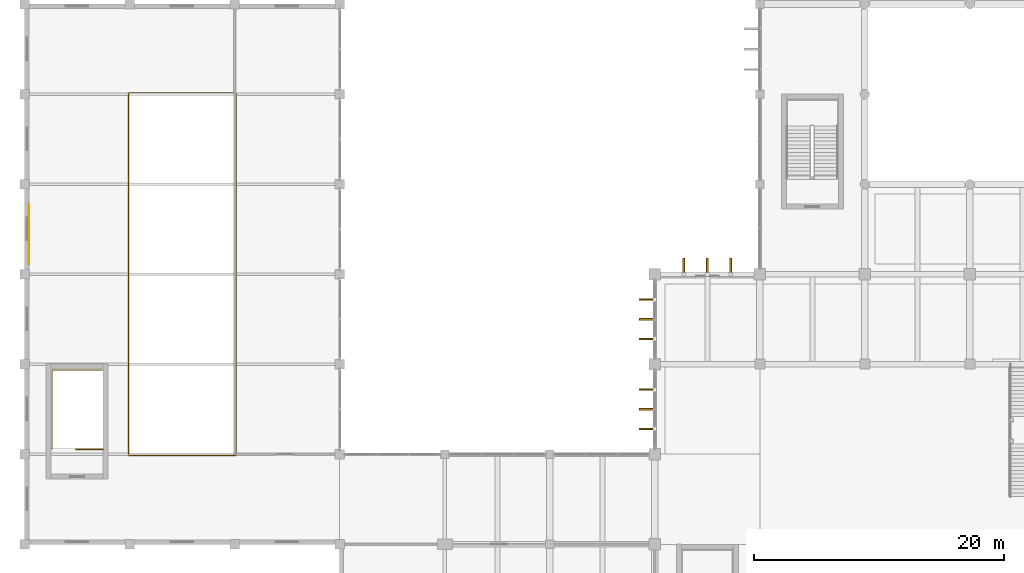
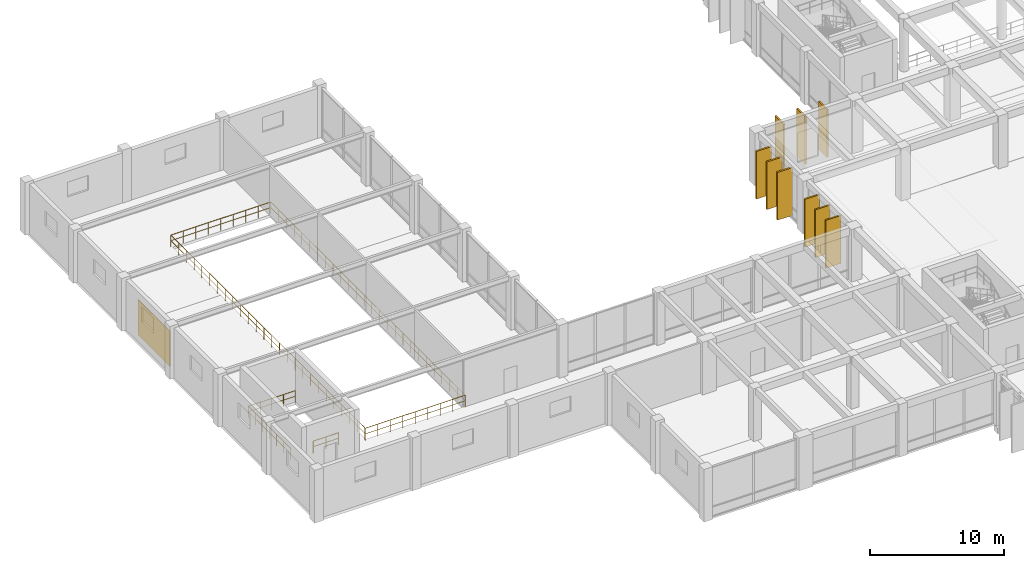
# One storey, part 42 of 51: 9 shading devices, 3 railings, 1 covering.
"""IFC4 building model written with IfcOpenShell, lengths in metres."""

from ifc_helpers import new_model, si_unit, direction, frame, origin, origin_2d, place, context, subcontext, project, spatial, rectangle, circle, extrude, material, layer, layer_set, type_object, element, save


model = new_model("IFC4")

# Units and contexts
model_context = context("Model", 3, precision=1e-05, world=origin(), true_north=direction((0.0, 1.0)))
body_context = subcontext(model_context, "Body", "Model", "MODEL_VIEW")
ifc_project = project(units=[si_unit("LENGTHUNIT", "METRE"), si_unit("AREAUNIT", "SQUARE_METRE"), si_unit("VOLUMEUNIT", "CUBIC_METRE"), si_unit("PLANEANGLEUNIT", "RADIAN"), si_unit("MASSUNIT", "GRAM", prefix="KILO")], contexts=[model_context])

# Site, building, storey
site_placement = place(None, origin())
site = spatial("IfcSite", under=ifc_project, at=site_placement, CompositionType="ELEMENT")
building_placement = place(site_placement, origin())
building = spatial("IfcBuilding", under=site, at=building_placement, Name="Kenerak Square Central Library", CompositionType="ELEMENT")
storey_placement = place(building_placement, frame((0.0, 0.0, 9.60009765625)))
storey = spatial("IfcBuildingStorey", under=building, at=storey_placement, Name="L02", CompositionType="ELEMENT", Elevation=9.60009765625)

# Railing
ifc_material_1 = material(Name="Steel S355", Category="steel")
railing_type_1 = type_object("IfcRailingType", Name="Atrium Glazed Balustrade BL-1100 S355", PredefinedType="BALUSTRADE", material=ifc_material_1)
railing_1_placement = place(storey_placement, frame((16.300048828125, 38.300048828125, 0.0)))
element("IfcRailing", 1, at=railing_1_placement, inside=storey, type_object=railing_type_1, Name="Auditorium Gallery Balustrade L02", PredefinedType="BALUSTRADE", context=body_context, shape_type="SweptSolid", body=[
    extrude(circle(Radius=0.02392578125, at=origin_2d()), frame((0.0, 0.0, 1.076171875), z_axis=(1.0, 0.0, 0.0), x_axis=(0.0, 1.0, 0.0)), (0.0, 0.0, 1.0), 8.599853515625),
    extrude(circle(Radius=0.01806640625, at=origin_2d()), frame((0.0, 0.0, 0.572021484375), z_axis=(1.0, 0.0, 0.0), x_axis=(0.0, 1.0, 0.0)), (0.0, 0.0, 1.0), 8.599853515625),
    extrude(circle(Radius=0.02392578125, at=origin_2d()), frame((8.599853515625, 0.0, 1.076171875), z_axis=(0.0, 1.0, 0.0), x_axis=(-1.0, 0.0, 0.0)), (0.0, 0.0, 1.0), 29.0),
    extrude(circle(Radius=0.01806640625, at=origin_2d()), frame((8.599853515625, 0.0, 0.572021484375), z_axis=(0.0, 1.0, 0.0), x_axis=(-1.0, 0.0, 0.0)), (0.0, 0.0, 1.0), 29.0),
    extrude(circle(Radius=0.02392578125, at=origin_2d()), frame((8.599853515625, 29.0, 1.076171875), z_axis=(-1.0, 0.0, 0.0), x_axis=(0.0, -1.0, 0.0)), (0.0, 0.0, 1.0), 8.599853515625),
    extrude(circle(Radius=0.01806640625, at=origin_2d()), frame((8.599853515625, 29.0, 0.572021484375), z_axis=(-1.0, 0.0, 0.0), x_axis=(0.0, -1.0, 0.0)), (0.0, 0.0, 1.0), 8.599853515625),
    extrude(circle(Radius=0.02392578125, at=origin_2d()), frame((0.0, 29.0, 1.076171875), z_axis=(0.0, -1.0, 0.0), x_axis=(1.0, 0.0, 0.0)), (0.0, 0.0, 1.0), 28.920166015625),
    extrude(circle(Radius=0.01806640625, at=origin_2d()), frame((0.0, 29.0, 0.572021484375), z_axis=(0.0, -1.0, 0.0), x_axis=(1.0, 0.0, 0.0)), (0.0, 0.0, 1.0), 28.920166015625),
    extrude(circle(Radius=0.02099609375, at=origin_2d()), origin(), (0.0, 0.0, 1.0), 1.052001953125),
    extrude(circle(Radius=0.02099609375, at=origin_2d()), frame((1.074951171875, 0.0, 0.0)), (0.0, 0.0, 1.0), 1.052001953125),
    extrude(circle(Radius=0.02099609375, at=origin_2d()), frame((2.14990234375, 0.0, 0.0)), (0.0, 0.0, 1.0), 1.052001953125),
    extrude(circle(Radius=0.02099609375, at=origin_2d()), frame((3.224853515625, 0.0, 0.0)), (0.0, 0.0, 1.0), 1.052001953125),
    extrude(circle(Radius=0.02099609375, at=origin_2d()), frame((4.2998046875, 0.0, 0.0)), (0.0, 0.0, 1.0), 1.052001953125),
    extrude(circle(Radius=0.02099609375, at=origin_2d()), frame((5.375, 0.0, 0.0)), (0.0, 0.0, 1.0), 1.052001953125),
    extrude(circle(Radius=0.02099609375, at=origin_2d()), frame((6.449951171875, 0.0, 0.0)), (0.0, 0.0, 1.0), 1.052001953125),
    extrude(circle(Radius=0.02099609375, at=origin_2d()), frame((7.52490234375, 0.0, 0.0)), (0.0, 0.0, 1.0), 1.052001953125),
    extrude(circle(Radius=0.02099609375, at=origin_2d()), frame((8.599853515625, 0.0, 0.0)), (0.0, 0.0, 1.0), 1.052001953125),
    extrude(circle(Radius=0.02099609375, at=origin_2d()), frame((8.599853515625, 1.159912109375, 0.0)), (0.0, 0.0, 1.0), 1.052001953125),
    extrude(circle(Radius=0.02099609375, at=origin_2d()), frame((8.599853515625, 2.320068359375, 0.0)), (0.0, 0.0, 1.0), 1.052001953125),
    extrude(circle(Radius=0.02099609375, at=origin_2d()), frame((8.599853515625, 3.47998046875, 0.0)), (0.0, 0.0, 1.0), 1.052001953125),
    extrude(circle(Radius=0.02099609375, at=origin_2d()), frame((8.599853515625, 4.639892578125, 0.0)), (0.0, 0.0, 1.0), 1.052001953125),
    extrude(circle(Radius=0.02099609375, at=origin_2d()), frame((8.599853515625, 5.800048828125, 0.0)), (0.0, 0.0, 1.0), 1.052001953125),
    extrude(circle(Radius=0.02099609375, at=origin_2d()), frame((8.599853515625, 6.9599609375, 0.0)), (0.0, 0.0, 1.0), 1.052001953125),
    extrude(circle(Radius=0.02099609375, at=origin_2d()), frame((8.599853515625, 8.1201171875, 0.0)), (0.0, 0.0, 1.0), 1.052001953125),
    extrude(circle(Radius=0.02099609375, at=origin_2d()), frame((8.599853515625, 9.280029296875, 0.0)), (0.0, 0.0, 1.0), 1.052001953125),
    extrude(circle(Radius=0.02099609375, at=origin_2d()), frame((8.599853515625, 10.43994140625, 0.0)), (0.0, 0.0, 1.0), 1.052001953125),
    extrude(circle(Radius=0.02099609375, at=origin_2d()), frame((8.599853515625, 11.60009765625, 0.0)), (0.0, 0.0, 1.0), 1.052001953125),
    extrude(circle(Radius=0.02099609375, at=origin_2d()), frame((8.599853515625, 12.760009765625, 0.0)), (0.0, 0.0, 1.0), 1.052001953125),
    extrude(circle(Radius=0.02099609375, at=origin_2d()), frame((8.599853515625, 13.919921875, 0.0)), (0.0, 0.0, 1.0), 1.052001953125),
    extrude(circle(Radius=0.02099609375, at=origin_2d()), frame((8.599853515625, 15.080078125, 0.0)), (0.0, 0.0, 1.0), 1.052001953125),
    extrude(circle(Radius=0.02099609375, at=origin_2d()), frame((8.599853515625, 16.239990234375, 0.0)), (0.0, 0.0, 1.0), 1.052001953125),
    extrude(circle(Radius=0.02099609375, at=origin_2d()), frame((8.599853515625, 17.39990234375, 0.0)), (0.0, 0.0, 1.0), 1.052001953125),
    extrude(circle(Radius=0.02099609375, at=origin_2d()), frame((8.599853515625, 18.56005859375, 0.0)), (0.0, 0.0, 1.0), 1.052001953125),
    extrude(circle(Radius=0.02099609375, at=origin_2d()), frame((8.599853515625, 19.719970703125, 0.0)), (0.0, 0.0, 1.0), 1.052001953125),
    extrude(circle(Radius=0.02099609375, at=origin_2d()), frame((8.599853515625, 20.8798828125, 0.0)), (0.0, 0.0, 1.0), 1.052001953125),
    extrude(circle(Radius=0.02099609375, at=origin_2d()), frame((8.599853515625, 22.0400390625, 0.0)), (0.0, 0.0, 1.0), 1.052001953125),
    extrude(circle(Radius=0.02099609375, at=origin_2d()), frame((8.599853515625, 23.199951171875, 0.0)), (0.0, 0.0, 1.0), 1.052001953125),
    extrude(circle(Radius=0.02099609375, at=origin_2d()), frame((8.599853515625, 24.360107421875, 0.0)), (0.0, 0.0, 1.0), 1.052001953125),
    extrude(circle(Radius=0.02099609375, at=origin_2d()), frame((8.599853515625, 25.52001953125, 0.0)), (0.0, 0.0, 1.0), 1.052001953125),
    extrude(circle(Radius=0.02099609375, at=origin_2d()), frame((8.599853515625, 26.679931640625, 0.0)), (0.0, 0.0, 1.0), 1.052001953125),
    extrude(circle(Radius=0.02099609375, at=origin_2d()), frame((8.599853515625, 27.840087890625, 0.0)), (0.0, 0.0, 1.0), 1.052001953125),
    extrude(circle(Radius=0.02099609375, at=origin_2d()), frame((8.599853515625, 29.0, 0.0)), (0.0, 0.0, 1.0), 1.052001953125),
    extrude(circle(Radius=0.02099609375, at=origin_2d()), frame((7.52490234375, 29.0, 0.0)), (0.0, 0.0, 1.0), 1.052001953125),
    extrude(circle(Radius=0.02099609375, at=origin_2d()), frame((6.449951171875, 29.0, 0.0)), (0.0, 0.0, 1.0), 1.052001953125),
    extrude(circle(Radius=0.02099609375, at=origin_2d()), frame((5.375, 29.0, 0.0)), (0.0, 0.0, 1.0), 1.052001953125),
    extrude(circle(Radius=0.02099609375, at=origin_2d()), frame((4.2998046875, 29.0, 0.0)), (0.0, 0.0, 1.0), 1.052001953125),
    extrude(circle(Radius=0.02099609375, at=origin_2d()), frame((3.224853515625, 29.0, 0.0)), (0.0, 0.0, 1.0), 1.052001953125),
    extrude(circle(Radius=0.02099609375, at=origin_2d()), frame((2.14990234375, 29.0, 0.0)), (0.0, 0.0, 1.0), 1.052001953125),
    extrude(circle(Radius=0.02099609375, at=origin_2d()), frame((1.074951171875, 29.0, 0.0)), (0.0, 0.0, 1.0), 1.052001953125),
    extrude(circle(Radius=0.02099609375, at=origin_2d()), frame((0.0, 29.0, 0.0)), (0.0, 0.0, 1.0), 1.052001953125),
    extrude(circle(Radius=0.02099609375, at=origin_2d()), frame((0.0, 27.84326171875, 0.0)), (0.0, 0.0, 1.0), 1.052001953125),
    extrude(circle(Radius=0.02099609375, at=origin_2d()), frame((0.0, 26.686279296875, 0.0)), (0.0, 0.0, 1.0), 1.052001953125),
    extrude(circle(Radius=0.02099609375, at=origin_2d()), frame((0.0, 25.529541015625, 0.0)), (0.0, 0.0, 1.0), 1.052001953125),
    extrude(circle(Radius=0.02099609375, at=origin_2d()), frame((0.0, 24.372802734375, 0.0)), (0.0, 0.0, 1.0), 1.052001953125),
    extrude(circle(Radius=0.02099609375, at=origin_2d()), frame((0.0, 23.216064453125, 0.0)), (0.0, 0.0, 1.0), 1.052001953125),
    extrude(circle(Radius=0.02099609375, at=origin_2d()), frame((0.0, 22.05908203125, 0.0)), (0.0, 0.0, 1.0), 1.052001953125),
    extrude(circle(Radius=0.02099609375, at=origin_2d()), frame((0.0, 20.90234375, 0.0)), (0.0, 0.0, 1.0), 1.052001953125),
    extrude(circle(Radius=0.02099609375, at=origin_2d()), frame((0.0, 19.74560546875, 0.0)), (0.0, 0.0, 1.0), 1.052001953125),
    extrude(circle(Radius=0.02099609375, at=origin_2d()), frame((0.0, 18.588623046875, 0.0)), (0.0, 0.0, 1.0), 1.052001953125),
    extrude(circle(Radius=0.02099609375, at=origin_2d()), frame((0.0, 17.431884765625, 0.0)), (0.0, 0.0, 1.0), 1.052001953125),
    extrude(circle(Radius=0.02099609375, at=origin_2d()), frame((0.0, 16.275146484375, 0.0)), (0.0, 0.0, 1.0), 1.052001953125),
    extrude(circle(Radius=0.02099609375, at=origin_2d()), frame((0.0, 15.118408203125, 0.0)), (0.0, 0.0, 1.0), 1.052001953125),
    extrude(circle(Radius=0.02099609375, at=origin_2d()), frame((0.0, 13.96142578125, 0.0)), (0.0, 0.0, 1.0), 1.052001953125),
    extrude(circle(Radius=0.02099609375, at=origin_2d()), frame((0.0, 12.8046875, 0.0)), (0.0, 0.0, 1.0), 1.052001953125),
    extrude(circle(Radius=0.02099609375, at=origin_2d()), frame((0.0, 11.64794921875, 0.0)), (0.0, 0.0, 1.0), 1.052001953125),
    extrude(circle(Radius=0.02099609375, at=origin_2d()), frame((0.0, 10.4912109375, 0.0)), (0.0, 0.0, 1.0), 1.052001953125),
    extrude(circle(Radius=0.02099609375, at=origin_2d()), frame((0.0, 9.334228515625, 0.0)), (0.0, 0.0, 1.0), 1.052001953125),
    extrude(circle(Radius=0.02099609375, at=origin_2d()), frame((0.0, 8.177490234375, 0.0)), (0.0, 0.0, 1.0), 1.052001953125),
    extrude(circle(Radius=0.02099609375, at=origin_2d()), frame((0.0, 7.020751953125, 0.0)), (0.0, 0.0, 1.0), 1.052001953125),
    extrude(circle(Radius=0.02099609375, at=origin_2d()), frame((0.0, 5.86376953125, 0.0)), (0.0, 0.0, 1.0), 1.052001953125),
    extrude(circle(Radius=0.02099609375, at=origin_2d()), frame((0.0, 4.70703125, 0.0)), (0.0, 0.0, 1.0), 1.052001953125),
    extrude(circle(Radius=0.02099609375, at=origin_2d()), frame((0.0, 3.55029296875, 0.0)), (0.0, 0.0, 1.0), 1.052001953125),
    extrude(circle(Radius=0.02099609375, at=origin_2d()), frame((0.0, 2.3935546875, 0.0)), (0.0, 0.0, 1.0), 1.052001953125),
    extrude(circle(Radius=0.02099609375, at=origin_2d()), frame((0.0, 1.236572265625, 0.0)), (0.0, 0.0, 1.0), 1.052001953125),
    extrude(circle(Radius=0.02099609375, at=origin_2d()), frame((0.0, 0.079833984375, 0.0)), (0.0, 0.0, 1.0), 1.052001953125),
])

# Covering
ifc_material_2 = material(Name="Chengal hardwood timber SG1", Category="wood")
ifc_layer = layer(ifc_material_2, 0.034912109375)
ifc_layer_set = layer_set([ifc_layer], Name="Chengal hardwood timber SG1")
covering_type = type_object("IfcCoveringType", Name="Fluted Chengal Acoustic Wall Cladding CV-CLAD", PredefinedType="CLADDING", material=ifc_layer_set)
covering_placement = place(storey_placement, frame((8.35009765625, 56.0, 0.19970703125), z_axis=(0.0, 0.0, 1.0), x_axis=(1.0, 0.0, 0.0)))
element("IfcCovering", 2, at=covering_placement, inside=storey, type_object=covering_type, Name="Chengal Acoustic Wall Cladding L02 06", PredefinedType="CLADDING", context=body_context, shape_type="SweptSolid", body=[
    extrude(rectangle(XDim=0.050048828125, YDim=4.800048828125, at=origin_2d()), origin(), (0.0, 0.0, 1.0), 3.199951171875),
])

# Shading devices
ifc_material_3 = material(Name="White precast concrete C40/50", Category="concrete")
shading_device_type = type_object("IfcShadingDeviceType", Name="Precast Vertical Solar Fin SF-1280 C40/50", PredefinedType="USERDEFINED", material=ifc_material_3)
for number, where, z_axis, x_axis, name in (
    (3, (57.780029296875, 40.425048828125, 0.099853515625), (0.0, 0.0, 1.0), (0.0, 1.0, 0.0), "Precast Solar Fin FIN-01 L02 0071"),
    (4, (57.780029296875, 42.0, 0.099853515625), (0.0, 0.0, 1.0), (0.0, 1.0, 0.0), "Precast Solar Fin FIN-01 L02 0072"),
    (5, (57.780029296875, 43.574951171875, 0.099853515625), (0.0, 0.0, 1.0), (0.0, 1.0, 0.0), "Precast Solar Fin FIN-01 L02 0073"),
    (6, (57.780029296875, 47.625, 0.099853515625), (0.0, 0.0, 1.0), (0.0, 1.0, 0.0), "Precast Solar Fin FIN-01 L02 0074"),
    (7, (57.780029296875, 49.199951171875, 0.099853515625), (0.0, 0.0, 1.0), (0.0, 1.0, 0.0), "Precast Solar Fin FIN-01 L02 0075"),
    (8, (57.780029296875, 50.77490234375, 0.099853515625), (0.0, 0.0, 1.0), (0.0, 1.0, 0.0), "Precast Solar Fin FIN-01 L02 0076"),
    (9, (60.72509765625, 53.419921875, 0.099853515625), (0.0, 0.0, 1.0), (1.0, 0.0, 0.0), "Precast Solar Fin FIN-01 L02 0077"),
    (10, (62.60009765625, 53.419921875, 0.099853515625), (0.0, 0.0, 1.0), (1.0, 0.0, 0.0), "Precast Solar Fin FIN-01 L02 0078"),
    (11, (64.47509765625, 53.419921875, 0.099853515625), (0.0, 0.0, 1.0), (1.0, 0.0, 0.0), "Precast Solar Fin FIN-01 L02 0079"),
):
    element("IfcShadingDevice", number, at=place(storey_placement, frame(where, z_axis=z_axis, x_axis=x_axis)), inside=storey, type_object=shading_device_type, Name=name, ObjectType="FIN", PredefinedType="USERDEFINED", context=body_context, shape_type="SweptSolid", body=[
        extrude(rectangle(XDim=0.139892578125, YDim=1.280029296875, at=origin_2d()), origin(), (0.0, 0.0, 1.0), 4.35009765625),
    ])

# Railings
railing_type_2 = type_object("IfcRailingType", Name="Safety Guardrail GR-1100 S355", PredefinedType="GUARDRAIL", material=ifc_material_1)
railing_2_placement = place(storey_placement, frame((14.280029296875, 38.800048828125, 0.0)))
element("IfcRailing", 12, at=railing_2_placement, inside=storey, type_object=railing_type_2, Name="L02 ST-06 top well guard 1", PredefinedType="GUARDRAIL", context=body_context, shape_type="SweptSolid", body=[
    extrude(circle(Radius=0.02392578125, at=origin_2d()), frame((0.0, 0.0, 1.076171875), z_axis=(-1.0, 0.0, 0.0), x_axis=(0.0, -1.0, 0.0)), (0.0, 0.0, 1.0), 2.179931640625),
    extrude(circle(Radius=0.01806640625, at=origin_2d()), frame((0.0, 0.0, 0.572021484375), z_axis=(-1.0, 0.0, 0.0), x_axis=(0.0, -1.0, 0.0)), (0.0, 0.0, 1.0), 2.179931640625),
    extrude(circle(Radius=0.02099609375, at=origin_2d()), origin(), (0.0, 0.0, 1.0), 1.052001953125),
    extrude(circle(Radius=0.02099609375, at=origin_2d()), frame((-1.08984375, 0.0, 0.0)), (0.0, 0.0, 1.0), 1.052001953125),
    extrude(circle(Radius=0.02099609375, at=origin_2d()), frame((-2.179931640625, 0.0, 0.0)), (0.0, 0.0, 1.0), 1.052001953125),
])
railing_3_placement = place(storey_placement, frame((10.179931640625, 38.85009765625, 0.0)))
element("IfcRailing", 13, at=railing_3_placement, inside=storey, type_object=railing_type_2, Name="Stair Well Floor Guard ST-06 L02", PredefinedType="GUARDRAIL", context=body_context, shape_type="SweptSolid", body=[
    extrude(circle(Radius=0.02392578125, at=origin_2d()), frame((0.0, 0.0, 1.076171875), z_axis=(0.0, 1.0, 0.0), x_axis=(-1.0, 0.0, 0.0)), (0.0, 0.0, 1.0), 6.2998046875),
    extrude(circle(Radius=0.01806640625, at=origin_2d()), frame((0.0, 0.0, 0.572021484375), z_axis=(0.0, 1.0, 0.0), x_axis=(-1.0, 0.0, 0.0)), (0.0, 0.0, 1.0), 6.2998046875),
    extrude(circle(Radius=0.02392578125, at=origin_2d()), frame((0.0, 6.2998046875, 1.076171875), z_axis=(1.0, 0.0, 0.0), x_axis=(0.0, 1.0, 0.0)), (0.0, 0.0, 1.0), 4.0400390625),
    extrude(circle(Radius=0.01806640625, at=origin_2d()), frame((0.0, 6.2998046875, 0.572021484375), z_axis=(1.0, 0.0, 0.0), x_axis=(0.0, 1.0, 0.0)), (0.0, 0.0, 1.0), 4.0400390625),
    extrude(circle(Radius=0.02099609375, at=origin_2d()), origin(), (0.0, 0.0, 1.0), 1.052001953125),
    extrude(circle(Radius=0.02099609375, at=origin_2d()), frame((0.0, 1.050048828125, 0.0)), (0.0, 0.0, 1.0), 1.052001953125),
    extrude(circle(Radius=0.02099609375, at=origin_2d()), frame((0.0, 2.099853515625, 0.0)), (0.0, 0.0, 1.0), 1.052001953125),
    extrude(circle(Radius=0.02099609375, at=origin_2d()), frame((0.0, 3.14990234375, 0.0)), (0.0, 0.0, 1.0), 1.052001953125),
    extrude(circle(Radius=0.02099609375, at=origin_2d()), frame((0.0, 4.199951171875, 0.0)), (0.0, 0.0, 1.0), 1.052001953125),
    extrude(circle(Radius=0.02099609375, at=origin_2d()), frame((0.0, 5.249755859375, 0.0)), (0.0, 0.0, 1.0), 1.052001953125),
    extrude(circle(Radius=0.02099609375, at=origin_2d()), frame((0.0, 6.2998046875, 0.0)), (0.0, 0.0, 1.0), 1.052001953125),
    extrude(circle(Radius=0.02099609375, at=origin_2d()), frame((1.010009765625, 6.2998046875, 0.0)), (0.0, 0.0, 1.0), 1.052001953125),
    extrude(circle(Radius=0.02099609375, at=origin_2d()), frame((2.02001953125, 6.2998046875, 0.0)), (0.0, 0.0, 1.0), 1.052001953125),
    extrude(circle(Radius=0.02099609375, at=origin_2d()), frame((3.030029296875, 6.2998046875, 0.0)), (0.0, 0.0, 1.0), 1.052001953125),
    extrude(circle(Radius=0.02099609375, at=origin_2d()), frame((4.0400390625, 6.2998046875, 0.0)), (0.0, 0.0, 1.0), 1.052001953125),
])

save(model, "model.ifc")
